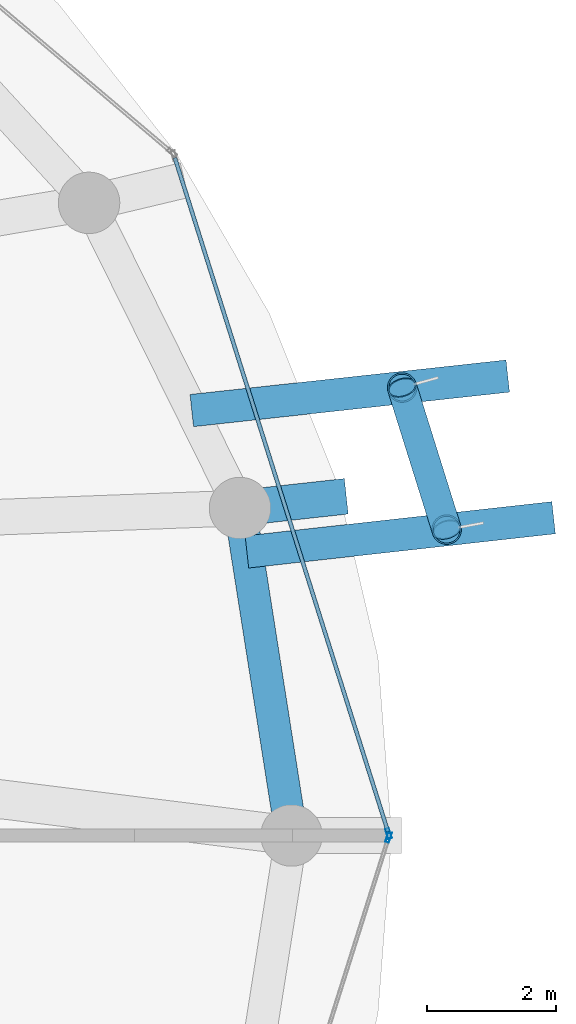
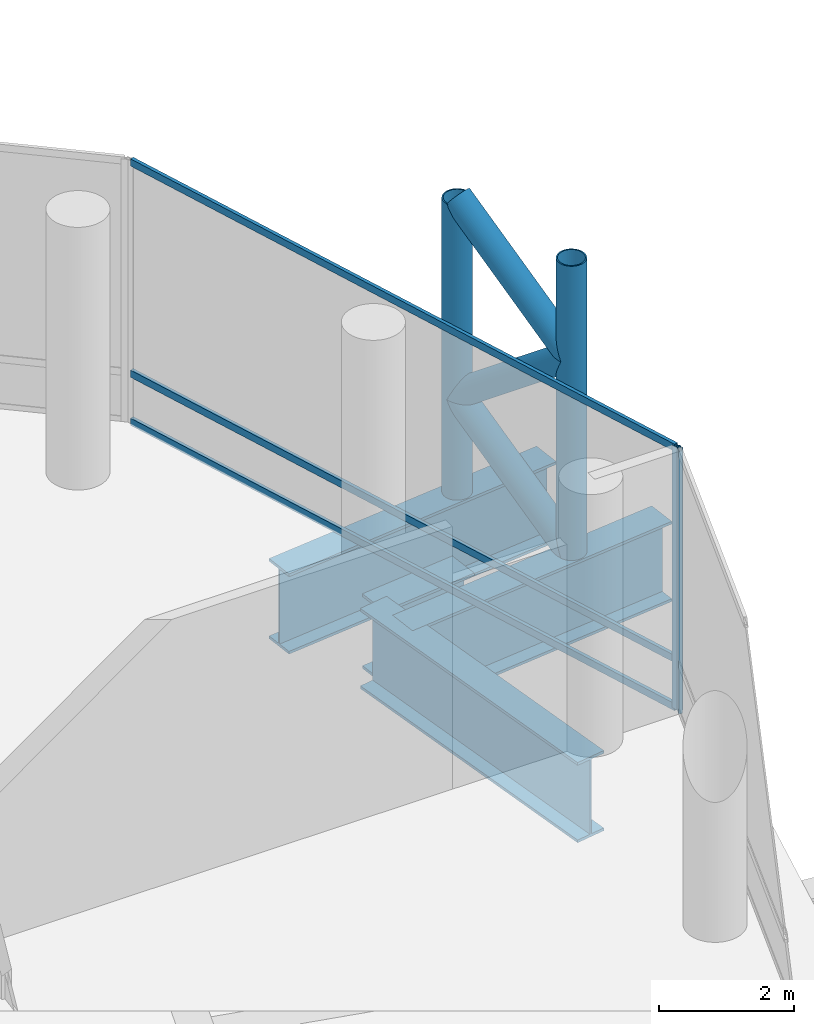
# One storey, part 12 of 29: 10 members, 4 beams, 2 elements without a shape of their own.
"""IFC4 building model written with IfcOpenShell, lengths in metres."""

from ifc_helpers import new_model, si_unit, direction, frame, origin, origin_2d, place, context, subcontext, project, spatial, hollow_rectangle, hollow_circle, i_section, extrude, material, layer, layer_set, material_profile, profile_set, type_object, element, aggregate, save


model = new_model("IFC4")

# Units and contexts
model_context = context("Model", 3, precision=1e-05, world=origin(), true_north=direction((0.0, 1.0)))
body_context = subcontext(model_context, "Body", "Model", "MODEL_VIEW")
ifc_project = project(units=[si_unit("LENGTHUNIT", "METRE"), si_unit("AREAUNIT", "SQUARE_METRE"), si_unit("VOLUMEUNIT", "CUBIC_METRE"), si_unit("PLANEANGLEUNIT", "RADIAN"), si_unit("MASSUNIT", "GRAM", prefix="KILO")], contexts=[model_context])

# Site, building, storey
site_placement = place(None, origin())
site = spatial("IfcSite", under=ifc_project, at=site_placement, CompositionType="ELEMENT")
building_placement = place(site_placement, origin())
building = spatial("IfcBuilding", under=site, at=building_placement, Name="Nuhasar Tower", CompositionType="ELEMENT")
storey_placement = place(building_placement, frame((0.0, 0.0, 113.25)))
storey = spatial("IfcBuildingStorey", under=building, at=storey_placement, Name="L26", CompositionType="ELEMENT", Elevation=113.25)

# Beams
ifc_material_1 = material(Name="Steel S460", Category="steel")
ifc_material_profile_1 = material_profile(ifc_material_1, i_section(OverallWidth=0.550048828125, OverallDepth=1.35009765625, WebThickness=0.028076171875, FlangeThickness=0.050048828125, at=origin_2d()), Name="PG1350X550")
ifc_profile_set_1 = profile_set([ifc_material_profile_1], Name="Steel S460")
beam_type_1 = type_object("IfcBeamType", Name="BM-XFER-PG1350", PredefinedType="USERDEFINED", material=ifc_profile_set_1)
beam_1_placement = place(storey_placement, frame((61.553955078125, 31.860107421875, -0.9951171875), z_axis=(0.99398603161, 0.109506935686, 0.0), x_axis=(-0.109506935686, 0.99398603161, 0.0)))
element("IfcBeam", 1, at=beam_1_placement, inside=storey, type_object=beam_type_1, Name="L26 Outer Column Step Transfer Girder 02", ObjectType="GIRDER", PredefinedType="USERDEFINED", context=body_context, shape_type="SweptSolid", body=[
    extrude(i_section(OverallWidth=0.550048828125, OverallDepth=1.35009765625, WebThickness=0.028076171875, FlangeThickness=0.050048828125, at=origin_2d()), origin(), (0.0, 0.0, 1.0), 1.652099609375),
])
ifc_material_profile_2 = material_profile(ifc_material_1, i_section(OverallWidth=0.5, OverallDepth=1.449951171875, WebThickness=0.028076171875, FlangeThickness=0.050048828125, at=origin_2d()), Name="PG1450X500")
ifc_profile_set_2 = profile_set([ifc_material_profile_2], Name="Steel S460")
beam_type_2 = type_object("IfcBeamType", Name="BM-XFER-PG1450", PredefinedType="USERDEFINED", material=ifc_profile_set_2)
beam_2_placement = place(storey_placement, frame((62.35009765625, 26.800048828125, -1.044921875), z_axis=(-0.155426543608, 0.987847452566, 0.0), x_axis=(-0.987847452566, -0.155426543608, 0.0)))
element("IfcBeam", 2, at=beam_2_placement, inside=storey, type_object=beam_type_2, Name="L26 Perimeter Ring Spandrel 01", ObjectType="GIRDER", PredefinedType="USERDEFINED", context=body_context, shape_type="SweptSolid", body=[
    extrude(i_section(OverallWidth=0.5, OverallDepth=1.449951171875, WebThickness=0.028076171875, FlangeThickness=0.050048828125, at=origin_2d()), origin(), (0.0, 0.0, 1.0), 5.122314453125),
])
beam_3_placement = place(storey_placement, frame((61.660888671875, 31.181884765625, -1.044921875), z_axis=(0.993848718805, 0.11074621497, 0.0), x_axis=(-0.11074621497, 0.993848718805, 0.0)))
element("IfcBeam", 3, at=beam_3_placement, inside=storey, type_object=beam_type_2, Name="L26 Exoskeleton Step Transfer Girder 01", ObjectType="GIRDER", PredefinedType="USERDEFINED", context=body_context, shape_type="SweptSolid", body=[
    extrude(i_section(OverallWidth=0.5, OverallDepth=1.449951171875, WebThickness=0.028076171875, FlangeThickness=0.050048828125, at=origin_2d()), origin(), (0.0, 0.0, 1.0), 4.768310546875),
])
beam_4_placement = place(storey_placement, frame((60.80908203125, 33.365966796875, -1.044921875), z_axis=(0.994095842058, 0.108505561161, 0.0), x_axis=(-0.108505561161, 0.994095842058, 0.0)))
element("IfcBeam", 4, at=beam_4_placement, inside=storey, type_object=beam_type_2, Name="L26 Exoskeleton Step Transfer Girder 02", ObjectType="GIRDER", PredefinedType="USERDEFINED", context=body_context, shape_type="SweptSolid", body=[
    extrude(i_section(OverallWidth=0.5, OverallDepth=1.449951171875, WebThickness=0.028076171875, FlangeThickness=0.050048828125, at=origin_2d()), origin(), (0.0, 0.0, 1.0), 4.911865234375),
])

# Curtain wall, member
ifc_material_2 = material(Name="Aluminium 6063-T6", Category="aluminium")
ifc_layer = layer(ifc_material_2, 0.239990234375)
ifc_layer_set = layer_set([ifc_layer], Name="Aluminium 6063-T6")
curtain_wall_type = type_object("IfcCurtainWallType", Name="CW-SKY-LBY", PredefinedType="NOTDEFINED", material=ifc_layer_set)
curtain_wall_1_placement = place(storey_placement, origin())
curtain_wall_1 = element("IfcCurtainWall", 5, at=curtain_wall_1_placement, inside=storey, type_object=curtain_wall_type, Name="L26 Unitised Curtain Wall 01", PredefinedType="NOTDEFINED")
ifc_material_profile_3 = material_profile(ifc_material_2, hollow_rectangle(XDim=0.06005859375, YDim=0.159912109375, WallThickness=0.0048828125, at=origin_2d()), Name="CWM-6")
ifc_profile_set_3 = profile_set([ifc_material_profile_3], Name="Aluminium 6063-T6")
member_type_1 = type_object("IfcMemberType", Name="CW-MUL-S6", PredefinedType="MULLION", material=ifc_profile_set_3)
member_1_placement = place(storey_placement, frame((63.850830078125, 26.82861328125, 0.0), z_axis=(0.0, 0.0, 1.0), x_axis=(-0.953433389233, -0.301603667577, 0.0)))
member_1 = element("IfcMember", 6, at=member_1_placement, type_object=member_type_1, Name="CW-SL mullion 1", PredefinedType="MULLION", context=body_context, shape_type="SweptSolid", body=[
    extrude(hollow_rectangle(XDim=0.06005859375, YDim=0.159912109375, WallThickness=0.0048828125, at=origin_2d()), origin(), (0.0, 0.0, 1.0), 4.75),
])

curtain_wall_2_placement = place(storey_placement, origin())
curtain_wall_2 = element("IfcCurtainWall", 7, at=curtain_wall_2_placement, inside=storey, type_object=curtain_wall_type, Name="L26 Unitised Curtain Wall 12", PredefinedType="NOTDEFINED")
member_2_placement = place(storey_placement, frame((63.850830078125, 26.771484375, 0.0), z_axis=(0.0, 0.0, 1.0), x_axis=(-0.953433389233, 0.301603667577, 0.0)))
member_2 = element("IfcMember", 8, at=member_2_placement, type_object=member_type_1, Name="CW-SL mullion 2", PredefinedType="MULLION", context=body_context, shape_type="SweptSolid", body=[
    extrude(hollow_rectangle(XDim=0.06005859375, YDim=0.159912109375, WallThickness=0.0048828125, at=origin_2d()), origin(), (0.0, 0.0, 1.0), 4.75),
])
aggregate(curtain_wall_2, [member_2])

# Member
ifc_material_profile_4 = material_profile(ifc_material_2, hollow_rectangle(XDim=0.06005859375, YDim=0.1298828125, WallThickness=0.00439453125, at=origin_2d()), Name="CWT-6")
ifc_profile_set_4 = profile_set([ifc_material_profile_4], Name="Aluminium 6063-T6")
member_type_2 = type_object("IfcMemberType", Name="CW-TRN-S6", PredefinedType="USERDEFINED", material=ifc_profile_set_4)
member_3_placement = place(storey_placement, frame((63.841796875, 26.857177734375, 0.030029296875), z_axis=(-0.301594460874, 0.95343630158, 0.0), x_axis=(-0.95343630158, -0.301594460874, 0.0)))
member_3 = element("IfcMember", 9, at=member_3_placement, type_object=member_type_2, Name="CW-SL transom 1.1", ObjectType="TRANSOM", PredefinedType="USERDEFINED", context=body_context, shape_type="SweptSolid", body=[
    extrude(hollow_rectangle(XDim=0.06005859375, YDim=0.1298828125, WallThickness=0.00439453125, at=origin_2d()), origin(), (0.0, 0.0, 1.0), 10.92431640625),
])

member_4_placement = place(storey_placement, frame((63.841796875, 26.857177734375, 0.89990234375), z_axis=(-0.301594460874, 0.95343630158, 0.0), x_axis=(-0.95343630158, -0.301594460874, 0.0)))
member_4 = element("IfcMember", 10, at=member_4_placement, type_object=member_type_2, Name="CW-SL transom 1.2", ObjectType="TRANSOM", PredefinedType="USERDEFINED", context=body_context, shape_type="SweptSolid", body=[
    extrude(hollow_rectangle(XDim=0.06005859375, YDim=0.1298828125, WallThickness=0.00439453125, at=origin_2d()), origin(), (0.0, 0.0, 1.0), 10.92431640625),
])

member_5_placement = place(storey_placement, frame((63.841796875, 26.857177734375, 4.719970703125), z_axis=(-0.301594460874, 0.95343630158, 0.0), x_axis=(-0.95343630158, -0.301594460874, 0.0)))
member_5 = element("IfcMember", 11, at=member_5_placement, type_object=member_type_2, Name="CW-SL transom 1.3", ObjectType="TRANSOM", PredefinedType="USERDEFINED", context=body_context, shape_type="SweptSolid", body=[
    extrude(hollow_rectangle(XDim=0.06005859375, YDim=0.1298828125, WallThickness=0.00439453125, at=origin_2d()), origin(), (0.0, 0.0, 1.0), 10.92431640625),
])

aggregate(curtain_wall_1, [member_1, member_3, member_4, member_5])

# Members
ifc_material_profile_5 = material_profile(ifc_material_1, hollow_circle(Radius=0.228515625, WallThickness=0.022216796875, at=origin_2d()), Name="HSS457X22.2")
ifc_profile_set_5 = profile_set([ifc_material_profile_5], Name="Steel S460")
member_type_3 = type_object("IfcMemberType", Name="EXO-BRONZE-457", PredefinedType="BRACE", material=ifc_profile_set_5)
for number, where, z_axis, x_axis, name in (
    (12, (64.748046875, 31.52587890625, -0.320068359375), (0.0, 0.0, 1.0), (1.0, 0.0, 0.0), "L26 Exoskeleton Chord Column EC-01A"),
    (13, (64.06005859375, 33.720947265625, -0.320068359375), (0.0, 0.0, 1.0), (1.0, 0.0, 0.0), "L26 Exoskeleton Chord Column EC-01B"),
):
    element("IfcMember", number, at=place(storey_placement, frame(where, z_axis=z_axis, x_axis=x_axis)), inside=storey, type_object=member_type_3, Name=name, PredefinedType="BRACE", context=body_context, shape_type="SweptSolid", body=[
        extrude(hollow_circle(Radius=0.228515625, WallThickness=0.022216796875, at=origin_2d()), origin(), (0.0, 0.0, 1.0), 5.320068359375),
    ])
member_6_placement = place(storey_placement, frame((64.748046875, 31.52587890625, -0.320068359375), z_axis=(-0.236885483771, 0.755797510497, 0.610455068539), x_axis=(-0.954228474306, -0.29907861646, 0.0)))
element("IfcMember", 14, at=member_6_placement, inside=storey, type_object=member_type_3, Name="L26 Bronze Diagrid Brace W1-01", PredefinedType="BRACE", context=body_context, shape_type="SweptSolid", body=[
    extrude(hollow_circle(Radius=0.228515625, WallThickness=0.022216796875, at=origin_2d()), origin(), (0.0, 0.0, 1.0), 2.904296875),
])
member_7_placement = place(storey_placement, frame((64.06005859375, 33.720947265625, 1.452880859375), z_axis=(0.236824706396, -0.755603596596, 0.610718644919), x_axis=(0.954228474306, 0.29907861646, 0.0)))
element("IfcMember", 15, at=member_7_placement, inside=storey, type_object=member_type_3, Name="L26 Bronze Diagrid Brace W2-01", PredefinedType="BRACE", context=body_context, shape_type="SweptSolid", body=[
    extrude(hollow_circle(Radius=0.228515625, WallThickness=0.022216796875, at=origin_2d()), origin(), (0.0, 0.0, 1.0), 2.905029296875),
])
member_8_placement = place(storey_placement, frame((64.748046875, 31.52587890625, 3.22705078125), z_axis=(-0.236885483771, 0.755797510497, 0.610455068539), x_axis=(-0.954228474306, -0.29907861646, 0.0)))
element("IfcMember", 16, at=member_8_placement, inside=storey, type_object=member_type_3, Name="L26 Bronze Diagrid Brace W3-01", PredefinedType="BRACE", context=body_context, shape_type="SweptSolid", body=[
    extrude(hollow_circle(Radius=0.228515625, WallThickness=0.022216796875, at=origin_2d()), origin(), (0.0, 0.0, 1.0), 2.904296875),
])

save(model, "model.ifc")
